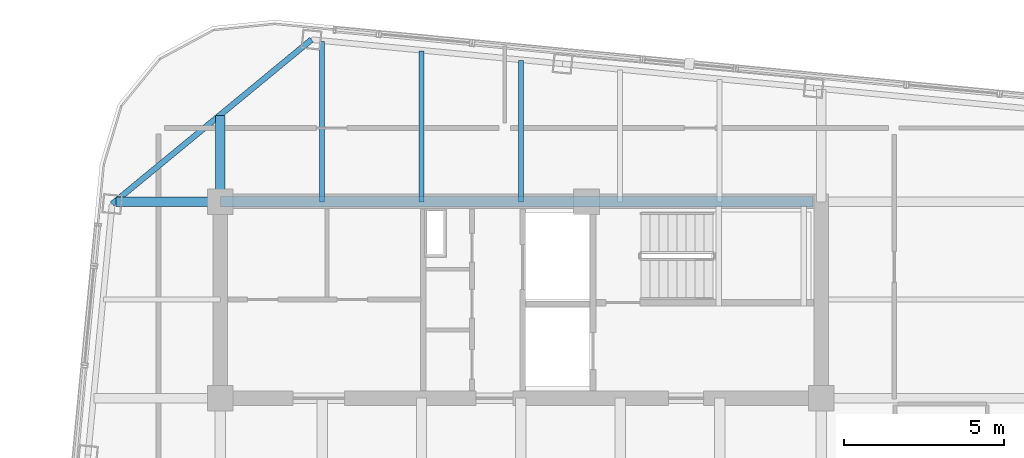
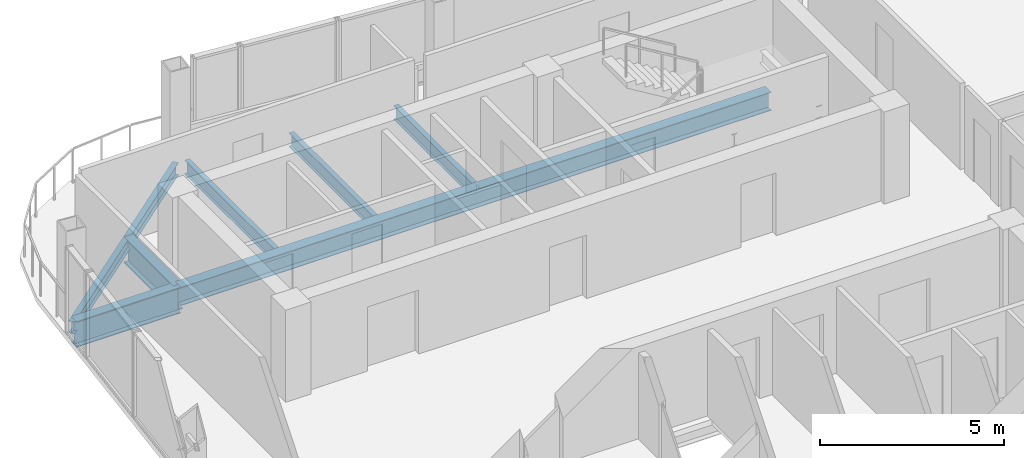
# One storey, part 16 of 26: 7 beams.
"""IFC4 building model written with IfcOpenShell, lengths in metres."""

from ifc_helpers import new_model, si_unit, direction, frame, origin, origin_2d, place, context, subcontext, project, spatial, i_section, extrude, material, material_profile, profile_set, type_object, element, save


model = new_model("IFC4")

# Units and contexts
model_context = context("Model", 3, precision=1e-05, world=origin(), true_north=direction((0.0, 1.0)))
body_context = subcontext(model_context, "Body", "Model", "MODEL_VIEW")
ifc_project = project(units=[si_unit("LENGTHUNIT", "METRE"), si_unit("AREAUNIT", "SQUARE_METRE"), si_unit("VOLUMEUNIT", "CUBIC_METRE"), si_unit("PLANEANGLEUNIT", "RADIAN"), si_unit("MASSUNIT", "GRAM", prefix="KILO")], contexts=[model_context])

# Site, building, storey
site_placement = place(None, origin())
site = spatial("IfcSite", under=ifc_project, at=site_placement, CompositionType="ELEMENT")
building_placement = place(site_placement, origin())
building = spatial("IfcBuilding", under=site, at=building_placement, Name="Qhalaya Broadcast Tower", CompositionType="ELEMENT")
storey_placement = place(building_placement, frame((0.0, 0.0, 248.949951171875)))
storey = spatial("IfcBuildingStorey", under=building, at=storey_placement, Name="L73", CompositionType="ELEMENT", Elevation=248.949951171875)

# Beams
ifc_material = material(Name="Structural Steel ASTM A992 Grade 50", Category="steel")
ifc_material_profile_1 = material_profile(ifc_material, i_section(OverallWidth=0.154052734375, OverallDepth=0.458984375, WebThickness=0.009033203125, FlangeThickness=0.015380859375, at=origin_2d()), Name="W18X46")
ifc_profile_set_1 = profile_set([ifc_material_profile_1], Name="Structural Steel ASTM A992 Grade 50")
beam_type_1 = type_object("IfcBeamType", Name="Composite Floor Joist J04", PredefinedType="JOIST", material=ifc_profile_set_1)
beam_1_placement = place(storey_placement, frame((-6.199951171875, 9.949951171875, -0.41943359375), z_axis=(0.0, 1.0, 0.0), x_axis=(-1.0, 0.0, 0.0)))
element("IfcBeam", 1, at=beam_1_placement, inside=storey, type_object=beam_type_1, Name="L73 J04 L73-JNN1-1", PredefinedType="JOIST", context=body_context, shape_type="SweptSolid", body=[
    extrude(i_section(OverallWidth=0.154052734375, OverallDepth=0.458984375, WebThickness=0.009033203125, FlangeThickness=0.015380859375, at=origin_2d()), origin(), (0.0, 0.0, 1.0), 5.0087890625),
])
beam_2_placement = place(storey_placement, frame((-3.10009765625, 9.949951171875, -0.41943359375), z_axis=(0.0, 1.0, 0.0), x_axis=(-1.0, 0.0, 0.0)))
element("IfcBeam", 2, at=beam_2_placement, inside=storey, type_object=beam_type_1, Name="L73 J04 L73-JNN2-1", PredefinedType="JOIST", context=body_context, shape_type="SweptSolid", body=[
    extrude(i_section(OverallWidth=0.154052734375, OverallDepth=0.458984375, WebThickness=0.009033203125, FlangeThickness=0.015380859375, at=origin_2d()), origin(), (0.0, 0.0, 1.0), 4.710205078125),
])
beam_3_placement = place(storey_placement, frame((0.0, 9.949951171875, -0.41943359375), z_axis=(0.0, 1.0, 0.0), x_axis=(-1.0, 0.0, 0.0)))
element("IfcBeam", 3, at=beam_3_placement, inside=storey, type_object=beam_type_1, Name="L73 J04 L73-JNN3-1", PredefinedType="JOIST", context=body_context, shape_type="SweptSolid", body=[
    extrude(i_section(OverallWidth=0.154052734375, OverallDepth=0.458984375, WebThickness=0.009033203125, FlangeThickness=0.015380859375, at=origin_2d()), origin(), (0.0, 0.0, 1.0), 4.411865234375),
])
ifc_material_profile_2 = material_profile(ifc_material, i_section(OverallWidth=0.323974609375, OverallDepth=0.612060546875, WebThickness=0.0126953125, FlangeThickness=0.01904296875, at=origin_2d()), Name="W24X104")
ifc_profile_set_2 = profile_set([ifc_material_profile_2], Name="Structural Steel ASTM A992 Grade 50")
beam_type_2 = type_object("IfcBeamType", Name="Core Frame Tie Beam B04", PredefinedType="BEAM", material=ifc_profile_set_2)
beam_4_placement = place(storey_placement, frame((-9.375, 9.949951171875, -0.495849609375), z_axis=(1.0, 0.0, 0.0), x_axis=(0.0, 1.0, 0.0)))
element("IfcBeam", 4, at=beam_4_placement, inside=storey, type_object=beam_type_2, Name="L73 B04 L73-CCN3", PredefinedType="BEAM", context=body_context, shape_type="SweptSolid", body=[
    extrude(i_section(OverallWidth=0.323974609375, OverallDepth=0.612060546875, WebThickness=0.0126953125, FlangeThickness=0.01904296875, at=origin_2d()), origin(), (0.0, 0.0, 1.0), 18.4951171875),
])
ifc_material_profile_3 = material_profile(ifc_material, i_section(OverallWidth=0.2919921875, OverallDepth=0.85888671875, WebThickness=0.01708984375, FlangeThickness=0.031005859375, at=origin_2d()), Name="W33X169")
ifc_profile_set_3 = profile_set([ifc_material_profile_3], Name="Structural Steel ASTM A992 Grade 50")
beam_type_3 = type_object("IfcBeamType", Name="Upper Block Primary Girder PG4", PredefinedType="USERDEFINED", material=ifc_profile_set_3)
beam_5_placement = place(storey_placement, frame((-9.375, 9.949951171875, -0.619384765625), z_axis=(0.0, 1.0, 0.0), x_axis=(-1.0, 0.0, 0.0)))
element("IfcBeam", 5, at=beam_5_placement, inside=storey, type_object=beam_type_3, Name="L73 PG4 L73-PGXN1-1", ObjectType="GIRDER", PredefinedType="USERDEFINED", context=body_context, shape_type="SweptSolid", body=[
    extrude(i_section(OverallWidth=0.2919921875, OverallDepth=0.85888671875, WebThickness=0.01708984375, FlangeThickness=0.031005859375, at=origin_2d()), origin(), (0.0, 0.0, 1.0), 2.68798828125),
])
beam_6_placement = place(storey_placement, frame((-12.6357421875, 9.949951171875, -0.619384765625), z_axis=(1.0, 0.0, 0.0), x_axis=(0.0, 1.0, 0.0)))
element("IfcBeam", 6, at=beam_6_placement, inside=storey, type_object=beam_type_3, Name="L73 PG4 L73-PGYW4-1", ObjectType="GIRDER", PredefinedType="USERDEFINED", context=body_context, shape_type="SweptSolid", body=[
    extrude(i_section(OverallWidth=0.2919921875, OverallDepth=0.85888671875, WebThickness=0.01708984375, FlangeThickness=0.031005859375, at=origin_2d()), origin(), (0.0, 0.0, 1.0), 3.2607421875),
])
ifc_material_profile_4 = material_profile(ifc_material, i_section(OverallWidth=0.177978515625, OverallDepth=0.406005859375, WebThickness=0.0078125, FlangeThickness=0.0126953125, at=origin_2d()), Name="W16X40")
ifc_profile_set_4 = profile_set([ifc_material_profile_4], Name="Structural Steel ASTM A992 Grade 50")
beam_type_4 = type_object("IfcBeamType", Name="Upper Perimeter Spandrel Beam SP2", PredefinedType="SPANDREL", material=ifc_profile_set_4)
beam_7_placement = place(storey_placement, frame((-6.5283203125, 15.010498046875, -0.39306640625), z_axis=(-0.771631160126, -0.636070241972, 0.0), x_axis=(0.636070241972, -0.771631160126, 0.0)))
element("IfcBeam", 7, at=beam_7_placement, inside=storey, type_object=beam_type_4, Name="L73 SP2 L73-SPR-12", PredefinedType="SPANDREL", context=body_context, shape_type="SweptSolid", body=[
    extrude(i_section(OverallWidth=0.177978515625, OverallDepth=0.406005859375, WebThickness=0.0078125, FlangeThickness=0.0126953125, at=origin_2d()), origin(), (0.0, 0.0, 1.0), 8.06103515625),
])

save(model, "model.ifc")
